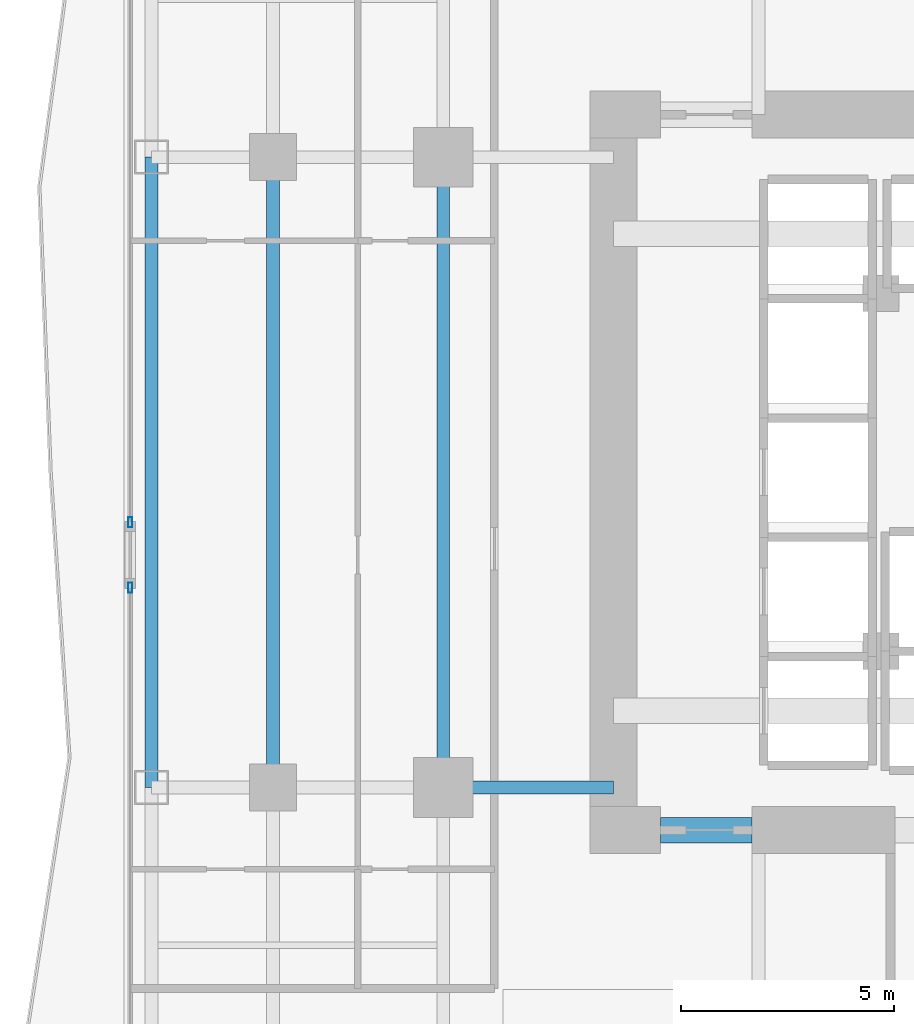
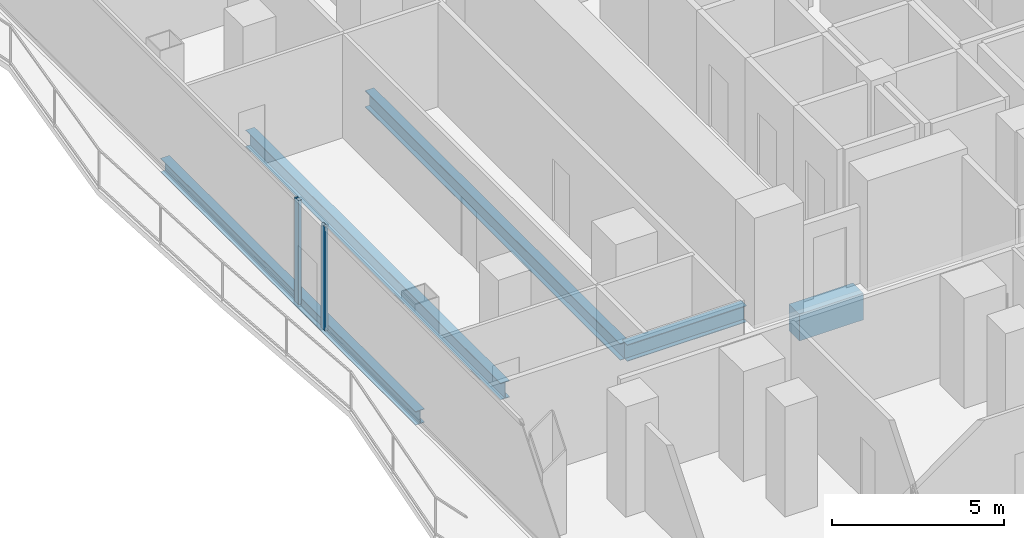
# One storey, part 6 of 27: 5 beams, 2 members, 2 elements without a shape of their own.
"""IFC4 building model written with IfcOpenShell, lengths in metres."""

from ifc_helpers import new_model, si_unit, direction, frame, origin, origin_2d, place, context, subcontext, project, spatial, rectangle, hollow_rectangle, i_section, extrude, material, layer, layer_set, material_profile, profile_set, type_object, element, aggregate, save


model = new_model("IFC4")

# Units and contexts
model_context = context("Model", 3, precision=1e-05, world=origin(), true_north=direction((0.0, 1.0)))
body_context = subcontext(model_context, "Body", "Model", "MODEL_VIEW")
ifc_project = project(units=[si_unit("LENGTHUNIT", "METRE"), si_unit("AREAUNIT", "SQUARE_METRE"), si_unit("VOLUMEUNIT", "CUBIC_METRE"), si_unit("PLANEANGLEUNIT", "RADIAN"), si_unit("MASSUNIT", "GRAM", prefix="KILO")], contexts=[model_context])

# Site, building, storey
site_placement = place(None, origin())
site = spatial("IfcSite", under=ifc_project, at=site_placement, CompositionType="ELEMENT")
building_placement = place(site_placement, origin())
building = spatial("IfcBuilding", under=site, at=building_placement, Name="Khorvyn Point Tower", CompositionType="ELEMENT")
storey_placement = place(building_placement, frame((0.0, 0.0, 42.300048828125)))
storey = spatial("IfcBuildingStorey", under=building, at=storey_placement, Name="L11", CompositionType="ELEMENT", Elevation=42.300048828125)

# Curtain wall, member
ifc_material_1 = material(Name="Anodised aluminium 6063-T6 and laminated Low-E glass", Category="aluminium")
ifc_layer = layer(ifc_material_1, 0.18994140625)
ifc_layer_set = layer_set([ifc_layer], Name="Stick-Built Finned Residential Curtain Wall CW-SYS-02")
curtain_wall_type = type_object("IfcCurtainWallType", Name="Stick-Built Finned Residential Curtain Wall CW-SYS-02", PredefinedType="NOTDEFINED", material=ifc_layer_set)
curtain_wall_1_placement = place(storey_placement, origin())
curtain_wall_1 = element("IfcCurtainWall", 1, at=curtain_wall_1_placement, inside=storey, type_object=curtain_wall_type, Name="Curtain Wall", PredefinedType="NOTDEFINED")
ifc_material_2 = material(Name="Anodised aluminium 6063-T6", Category="aluminium")
ifc_material_profile_1 = material_profile(ifc_material_2, hollow_rectangle(XDim=0.10009765625, YDim=0.239990234375, WallThickness=0.0048828125, at=origin_2d()))
ifc_profile_set_1 = profile_set([ifc_material_profile_1], Name="Anodised aluminium 6063-T6 ALU-MUL-100x240")
member_type = type_object("IfcMemberType", Name="Anodised Aluminium 6063-T6 Mullion ALU-MUL-100x240", PredefinedType="MULLION", material=ifc_profile_set_1)
member_1_placement = place(storey_placement, frame((-22.14990234375, -2.7119140625, 0.0), z_axis=(0.0, 0.0, 1.0), x_axis=(-1.0, 0.0, 0.0)))
member_1 = element("IfcMember", 2, at=member_1_placement, type_object=member_type, Name="Transom", PredefinedType="MULLION", context=body_context, shape_type="SweptSolid", body=[
    extrude(hollow_rectangle(XDim=0.10009765625, YDim=0.239990234375, WallThickness=0.0048828125, at=origin_2d()), origin(), (0.0, 0.0, 1.0), 3.679931640625),
])
aggregate(curtain_wall_1, [member_1])

curtain_wall_2_placement = place(storey_placement, origin())
curtain_wall_2 = element("IfcCurtainWall", 3, at=curtain_wall_2_placement, inside=storey, type_object=curtain_wall_type, Name="Curtain Wall", PredefinedType="NOTDEFINED")
member_2_placement = place(storey_placement, frame((-22.14990234375, -1.172119140625, 0.0), z_axis=(0.0, 0.0, 1.0), x_axis=(-1.0, 0.0, 0.0)))
member_2 = element("IfcMember", 4, at=member_2_placement, type_object=member_type, Name="Transom", PredefinedType="MULLION", context=body_context, shape_type="SweptSolid", body=[
    extrude(hollow_rectangle(XDim=0.10009765625, YDim=0.239990234375, WallThickness=0.0048828125, at=origin_2d()), origin(), (0.0, 0.0, 1.0), 3.679931640625),
])
aggregate(curtain_wall_2, [member_2])

# Beams
ifc_material_3 = material(Name="Concrete C50/60", Category="concrete")
ifc_material_profile_2 = material_profile(ifc_material_3, rectangle(XDim=0.60009765625, YDim=0.949951171875, at=origin_2d()))
ifc_profile_set_2 = profile_set([ifc_material_profile_2], Name="Concrete C50/60 RC600x950")
beam_type_1 = type_object("IfcBeamType", Name="Concrete C50/60 Beam RC600x950", PredefinedType="BEAM", material=ifc_profile_set_2)
beam_1_placement = place(storey_placement, frame((-9.699951171875, -8.39990234375, -0.695068359375), z_axis=(1.0, 0.0, 0.0), x_axis=(0.0, 1.0, 0.0)))
element("IfcBeam", 5, at=beam_1_placement, inside=storey, type_object=beam_type_1, Name="L11 Core Southwest Portal Coupling Beam", PredefinedType="BEAM", context=body_context, shape_type="SweptSolid", body=[
    extrude(rectangle(XDim=0.60009765625, YDim=0.949951171875, at=origin_2d()), origin(), (0.0, 0.0, 1.0), 2.14990234375),
])
ifc_material_4 = material(Name="Steel S355", Category="steel")
ifc_material_profile_3 = material_profile(ifc_material_4, i_section(OverallWidth=0.300048828125, OverallDepth=0.587890625, WebThickness=0.011962890625, FlangeThickness=0.02001953125, at=origin_2d()))
ifc_profile_set_3 = profile_set([ifc_material_profile_3], Name="Steel S355 H588x300x12x20")
beam_type_2 = type_object("IfcBeamType", Name="Steel S355 Beam H588x300x12x20", PredefinedType="BEAM", material=ifc_profile_set_3)
beam_2_placement = place(storey_placement, frame((-14.800048828125, -7.39990234375, -0.51416015625), z_axis=(1.0, 0.0, 0.0), x_axis=(0.0, 1.0, 0.0)))
element("IfcBeam", 6, at=beam_2_placement, inside=storey, type_object=beam_type_2, Name="Beam", PredefinedType="BEAM", context=body_context, shape_type="SweptSolid", body=[
    extrude(i_section(OverallWidth=0.300048828125, OverallDepth=0.587890625, WebThickness=0.011962890625, FlangeThickness=0.02001953125, at=origin_2d()), origin(), (0.0, 0.0, 1.0), 4.0),
])
for number, where, z_axis, x_axis, name in (
    (7, (-14.800048828125, -7.39990234375, -0.51416015625), (0.0, 1.0, 0.0), (-1.0, 0.0, 0.0), "Beam"),
    (8, (-18.800048828125, -7.39990234375, -0.51416015625), (0.0, 1.0, 0.0), (-1.0, 0.0, 0.0), "Beam"),
):
    element("IfcBeam", number, at=place(storey_placement, frame(where, z_axis=z_axis, x_axis=x_axis)), inside=storey, type_object=beam_type_2, Name=name, PredefinedType="BEAM", context=body_context, shape_type="SweptSolid", body=[
        extrude(i_section(OverallWidth=0.300048828125, OverallDepth=0.587890625, WebThickness=0.011962890625, FlangeThickness=0.02001953125, at=origin_2d()), origin(), (0.0, 0.0, 1.0), 14.7998046875),
    ])
ifc_material_profile_4 = material_profile(ifc_material_4, i_section(OverallWidth=0.300048828125, OverallDepth=0.488037109375, WebThickness=0.010986328125, FlangeThickness=0.01806640625, at=origin_2d()))
ifc_profile_set_4 = profile_set([ifc_material_profile_4], Name="Steel S355 H488x300x11x18")
beam_type_3 = type_object("IfcBeamType", Name="Steel S355 Spandrel H488x300x11x18", PredefinedType="SPANDREL", material=ifc_profile_set_4)
beam_3_placement = place(storey_placement, frame((-21.64990234375, -7.39990234375, -0.464111328125), z_axis=(0.0, 1.0, 0.0), x_axis=(-1.0, 0.0, 0.0)))
element("IfcBeam", 9, at=beam_3_placement, inside=storey, type_object=beam_type_3, Name="Beam", PredefinedType="SPANDREL", context=body_context, shape_type="SweptSolid", body=[
    extrude(i_section(OverallWidth=0.300048828125, OverallDepth=0.488037109375, WebThickness=0.010986328125, FlangeThickness=0.01806640625, at=origin_2d()), origin(), (0.0, 0.0, 1.0), 14.7998046875),
])

save(model, "model.ifc")
